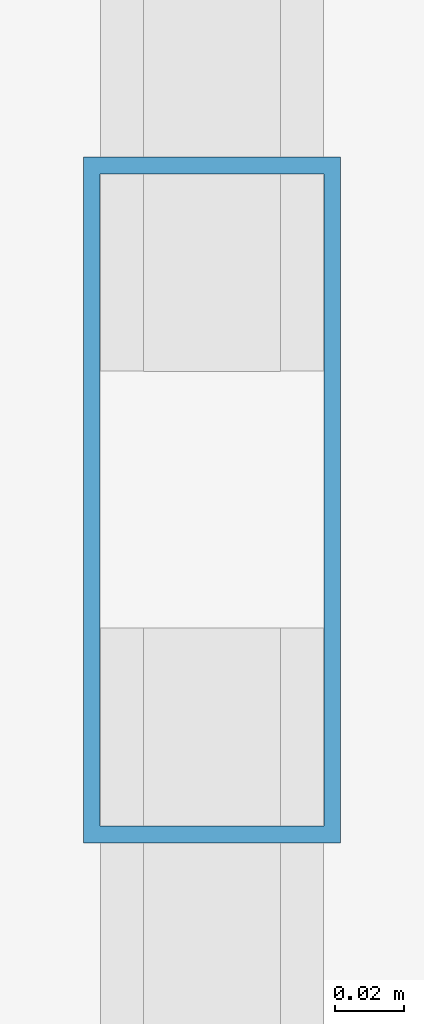
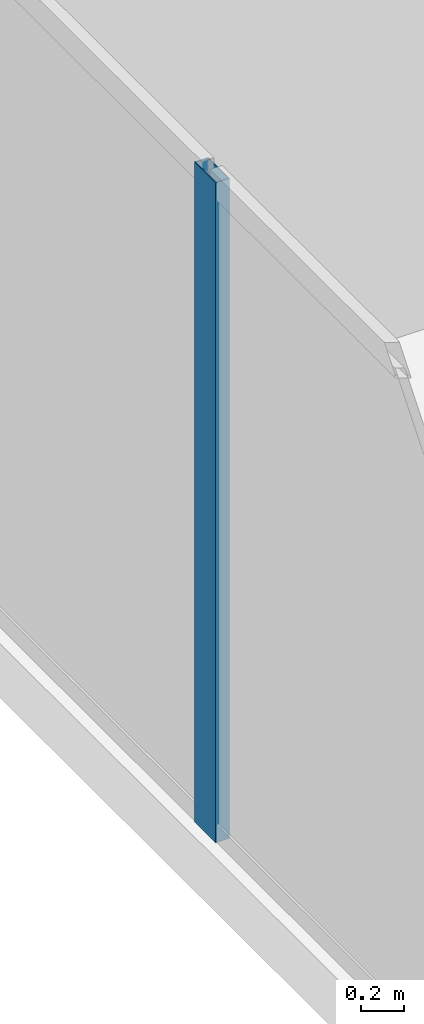
# One storey, part 8 of 30: 1 member, 1 element without a shape of its own.
"""IFC4 building model written with IfcOpenShell, lengths in metres."""

from ifc_helpers import new_model, si_unit, direction, frame, origin, origin_2d, place, context, subcontext, project, spatial, hollow_rectangle, extrude, source, transform, mapped, material, layer, layer_set, material_profile, profile_set, type_object, type_shapes, element, aggregate, save


model = new_model("IFC4")

# Units and contexts
model_context = context("Model", 3, precision=1e-05, world=origin(), true_north=direction((0.0, 1.0)))
body_context = subcontext(model_context, "Body", "Model", "MODEL_VIEW")
ifc_project = project(units=[si_unit("LENGTHUNIT", "METRE"), si_unit("AREAUNIT", "SQUARE_METRE"), si_unit("VOLUMEUNIT", "CUBIC_METRE"), si_unit("PLANEANGLEUNIT", "RADIAN"), si_unit("MASSUNIT", "GRAM", prefix="KILO")], contexts=[model_context])

# Site, building, storey
site_placement = place(None, origin())
site = spatial("IfcSite", under=ifc_project, at=site_placement, CompositionType="ELEMENT")
building_placement = place(site_placement, origin())
building = spatial("IfcBuilding", under=site, at=building_placement, Name="Haelvirn Gate Laboratories", CompositionType="ELEMENT")
storey_placement = place(building_placement, frame((0.0, 0.0, 183.0)))
storey = spatial("IfcBuildingStorey", under=building, at=storey_placement, Name="L44", CompositionType="ELEMENT", Elevation=183.0)

# Curtain wall, member
ifc_material_1 = material(Name="Anodised bronze unitised aluminium & triple low-E glass", Category="aluminium")
ifc_layer = layer(ifc_material_1, 0.179931640625, Name="CW-SYS-3")
ifc_layer_set = layer_set([ifc_layer], Name="Anodised bronze unitised aluminium & triple low-E glass")
curtain_wall_type = type_object("IfcCurtainWallType", Name="CW-SYS-3", PredefinedType="NOTDEFINED", material=ifc_layer_set)
curtain_wall_placement = place(storey_placement, origin())
curtain_wall = element("IfcCurtainWall", 1, at=curtain_wall_placement, inside=storey, type_object=curtain_wall_type, Name="L44 Unitised Curtain Wall CW-L44-P0-E17", PredefinedType="NOTDEFINED")
ifc_material_2 = material(Name="Extruded aluminium 6063-T6 (anodised bronze)", Category="aluminium")
ifc_material_profile = material_profile(ifc_material_2, hollow_rectangle(XDim=0.074951171875, YDim=0.199951171875, WallThickness=0.0048828125, at=origin_2d()), Name="CWM-200x75x5")
ifc_profile_set = profile_set([ifc_material_profile], Name="Extruded aluminium 6063-T6 (anodised bronze)")
member_type = type_object("IfcMemberType", Name="CWM-T200", PredefinedType="MULLION", material=ifc_profile_set)
shared_shape = source(origin(), body_context, "Body", "SweptSolid", [
    extrude(hollow_rectangle(XDim=0.074951171875, YDim=0.199951171875, WallThickness=0.0048828125, at=origin_2d()), origin(), (0.0, 0.0, 1.0), 3.7900390625),
])
type_shapes(member_type, [shared_shape])
member_placement = place(storey_placement, frame((2.10009765625, 30.966552734375, 0.0), z_axis=(0.0, 0.0, 1.0), x_axis=(1.0, 0.0, 0.0)))
member = element("IfcMember", 2, at=member_placement, type_object=member_type, Name="CW3 mullion 2", PredefinedType="MULLION", context=body_context, shape_type="MappedRepresentation", body=[
    mapped(shared_shape, transform((0.0, 0.0, 0.0), scale=1.0)),
])
aggregate(curtain_wall, [member])

save(model, "model.ifc")
